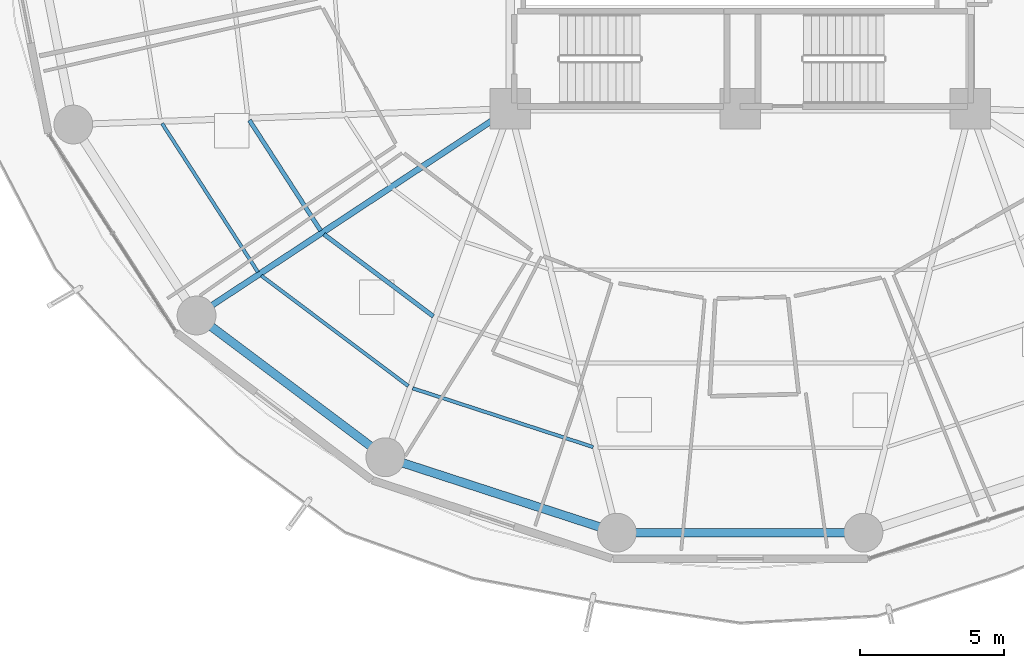
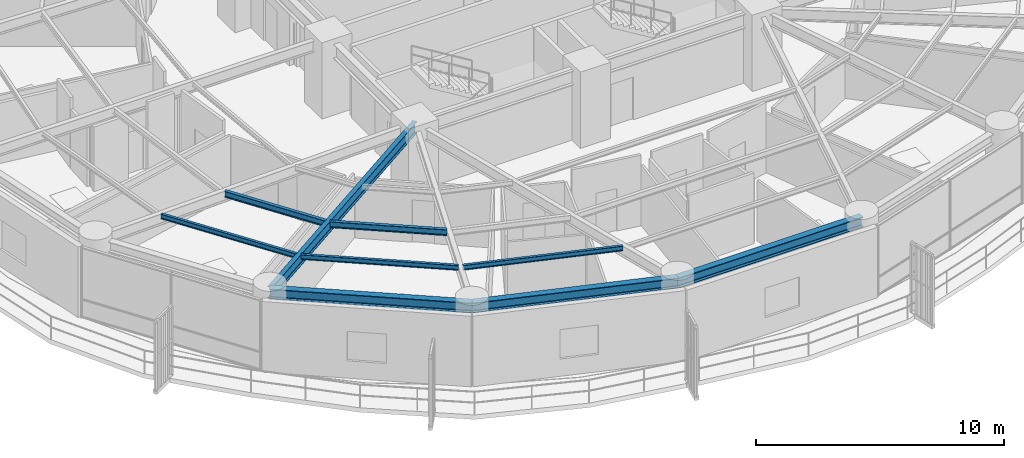
# One storey, part 3 of 35: 9 beams.
"""IFC4 building model written with IfcOpenShell, lengths in metres."""

import ifcopenshell
import ifcopenshell.guid

model = None  # the IFC model being written
_history = None  # IfcOwnerHistory: only IFC2X3 demands one
_inside = {}  # id of a spatial element -> (the spatial element, [elements in it])
_under = {}  # id of a project, library or spatial element -> (it, [spatial elements below it])
_declared = {}  # id of a project -> (the project, [libraries it declares])
_typed = {}  # id of a type object -> (the type object, [elements of that type])
_made_of = {}  # id of a material, layer set ... -> (it, [elements and type objects made of it])


def new_model(schema):
    """Start an empty IFC model of exactly this schema.

    Asked for "IFC4X3", IfcOpenShell would pick the latest addendum, in which some entities
    have other attributes; the version numbers below select the first issue.
    IFC2X3 requires an IfcOwnerHistory on every rooted entity: one is made here for all.
    """
    global model, _history
    if schema == "IFC4X3":
        model = ifcopenshell.file(schema_version=(4, 3, 0, 0))
    else:
        model = ifcopenshell.file(schema=schema)
    _inside.clear()
    _under.clear()
    _declared.clear()
    _typed.clear()
    _made_of.clear()
    _history = None
    if model.schema == "IFC2X3":
        org = make("IfcOrganization", Name="unknown")
        user = make(
            "IfcPersonAndOrganization",
            ThePerson=make("IfcPerson", FamilyName="unknown"),
            TheOrganization=org,
        )
        app = make(
            "IfcApplication",
            ApplicationDeveloper=org,
            Version="unknown",
            ApplicationFullName="unknown",
            ApplicationIdentifier="unknown",
        )
        _history = make(
            "IfcOwnerHistory",
            OwningUser=user,
            OwningApplication=app,
            ChangeAction="ADDED",
            CreationDate=0,
        )
    return model


def make(cls, **values):
    """One entity of the class cls with the attributes given. An attribute that is None is left unset."""
    return model.create_entity(
        cls, **{name: value for name, value in values.items() if value is not None}
    )


def rooted(cls, **values):
    """An entity with a GlobalId (a new one), such as an element, a storey or a relation."""
    return make(cls, GlobalId=ifcopenshell.guid.new(), OwnerHistory=_history, **values)


def si_unit(unit_type, name, prefix=None):
    """IfcSIUnit, for example si_unit("LENGTHUNIT", "METRE", prefix="MILLI")."""
    return make("IfcSIUnit", UnitType=unit_type, Prefix=prefix, Name=name)


def assignment(units):
    """IfcUnitAssignment: the units of a project."""
    return None if units is None else make("IfcUnitAssignment", Units=units)


def point(xyz):
    """IfcCartesianPoint."""
    return None if xyz is None else make("IfcCartesianPoint", Coordinates=xyz)


def direction(xyz):
    """IfcDirection."""
    return None if xyz is None else make("IfcDirection", DirectionRatios=xyz)


def frame(location, z_axis=None, x_axis=None):
    """IfcAxis2Placement3D, a coordinate frame: its origin and axes. An axis left out is left unset."""
    return make(
        "IfcAxis2Placement3D",
        Location=point(location),
        Axis=direction(z_axis),
        RefDirection=direction(x_axis),
    )


def frame_2d(location, x_axis=None):
    """IfcAxis2Placement2D, a coordinate frame in the plane: its origin and x axis."""
    return make(
        "IfcAxis2Placement2D", Location=point(location), RefDirection=direction(x_axis)
    )


def origin():
    """The frame at (0, 0, 0) with its axes left unset."""
    return frame((0.0, 0.0, 0.0))


def origin_2d():
    """The frame at (0, 0) in the plane with its x axis left unset."""
    return frame_2d((0.0, 0.0))


def place(relative_to, where):
    """IfcLocalPlacement: puts the frame where relative to a parent placement (None: the world)."""
    return make(
        "IfcLocalPlacement", PlacementRelTo=relative_to, RelativePlacement=where
    )


def context(
    kind, dimensions, precision=None, world=None, true_north=None, identifier=None
):
    """IfcGeometricRepresentationContext, for example the 3D "Model" context."""
    return make(
        "IfcGeometricRepresentationContext",
        ContextIdentifier=identifier,
        ContextType=kind,
        CoordinateSpaceDimension=dimensions,
        Precision=precision,
        WorldCoordinateSystem=world,
        TrueNorth=true_north,
    )


def subcontext(parent, identifier, kind, view, scale=None):
    """IfcGeometricRepresentationSubContext, for example "Body" below "Model"."""
    return make(
        "IfcGeometricRepresentationSubContext",
        ContextIdentifier=identifier,
        ContextType=kind,
        ParentContext=parent,
        TargetScale=scale,
        TargetView=view,
    )


def project(units=None, contexts=None):
    """IfcProject with its units and contexts."""
    return rooted(
        "IfcProject",
        Name="project",
        RepresentationContexts=contexts,
        UnitsInContext=assignment(units),
    )


def spatial(cls, under=None, at=None, **own):
    """A site, building, storey or space (cls), placed at a placement, below another one or the project."""
    s = rooted(cls, ObjectPlacement=at, **own)
    if under is not None:
        _under.setdefault(under.id(), (under, []))[1].append(s)
    return s


def profile(cls, at=None, kind="AREA", **sizes):
    """A parametric profile (cls). Its sizes go by their IFC names, for example OverallWidth=200.0."""
    return make(cls, ProfileType=kind, Position=at, **sizes)


def i_section(**sizes):
    """IfcIShapeProfileDef."""
    return profile("IfcIShapeProfileDef", **sizes)


def extrude(swept, where, along, depth):
    """IfcExtrudedAreaSolid: the profile swept, set in the frame where, extruded along a direction by depth."""
    return make(
        "IfcExtrudedAreaSolid",
        SweptArea=swept,
        Position=where,
        ExtrudedDirection=direction(along),
        Depth=depth,
    )


def shape(context_of_items, identifier, shape_type, items):
    """IfcShapeRepresentation: the items that make up one representation, for example the "Body"."""
    return make(
        "IfcShapeRepresentation",
        ContextOfItems=context_of_items,
        RepresentationIdentifier=identifier,
        RepresentationType=shape_type,
        Items=items,
    )


def material(Name=None, Category=None):
    """IfcMaterial."""
    return make("IfcMaterial", Name=Name, Category=Category)


def material_profile(
    of_material, cross_section, Name=None, Category=None, Priority=None
):
    """IfcMaterialProfile: a cross section and its material."""
    return make(
        "IfcMaterialProfile",
        Name=Name,
        Material=of_material,
        Profile=cross_section,
        Priority=Priority,
        Category=Category,
    )


def profile_set(profiles, Name=None, composite=None):
    """IfcMaterialProfileSet."""
    return make(
        "IfcMaterialProfileSet",
        Name=Name,
        MaterialProfiles=profiles,
        CompositeProfile=composite,
    )


def made_of(thing, what):
    """Note that an element or type object is made of a material, layer set ...; save() writes the relation."""
    if what is not None:
        _made_of.setdefault(what.id(), (what, []))[1].append(thing)
    return thing


def type_object(cls, material=None, **own):
    """A type object (cls), such as IfcWallType, which elements share."""
    return made_of(rooted(cls, **own), material)


def element(
    cls,
    number,
    at=None,
    inside=None,
    cuts=None,
    type_object=None,
    material=None,
    context=None,
    identifier="Body",
    shape_type=None,
    held_by="IfcProductDefinitionShape",
    body=None,
    shapes=None,
    **own,
):
    """One element of the class cls, such as IfcWall. Its Tag is "e" and its number.

    at: its placement. inside: the storey or other place that contains it. cuts: it is an
    opening in that element (IfcRelVoidsElement). A single representation is given by context,
    identifier, shape_type and body (its items); several are given by shapes. held_by: the class
    of the entity that holds the representations. save() writes the other relations.
    """
    e = rooted(cls, Tag="e%d" % number, ObjectPlacement=at, **own)
    if body is not None:
        shapes = [shape(context, identifier, shape_type, body)]
    if shapes is not None:
        e.Representation = make(held_by, Representations=shapes)
    if inside is not None:
        _inside.setdefault(inside.id(), (inside, []))[1].append(e)
    if cuts is not None:
        rooted(
            "IfcRelVoidsElement", RelatingBuildingElement=cuts, RelatedOpeningElement=e
        )
    if type_object is not None:
        _typed.setdefault(type_object.id(), (type_object, []))[1].append(e)
    return made_of(e, material)


def aggregate(whole, parts):
    """IfcRelAggregates: a whole, such as a stair, and the parts it consists of."""
    return rooted("IfcRelAggregates", RelatingObject=whole, RelatedObjects=parts)


def save(model, path):
    """Write the relations noted so far, then the file.

    IfcRelAggregates (storeys below a building ...), IfcRelContainedInSpatialStructure (elements
    in a storey), IfcRelDefinesByType, IfcRelAssociatesMaterial and IfcRelDeclares: one each for
    every whole, place, type object, material and project.
    """
    for whole, parts in _under.values():
        aggregate(whole, parts)
    for where, things in _inside.values():
        rooted(
            "IfcRelContainedInSpatialStructure",
            RelatedElements=things,
            RelatingStructure=where,
        )
    for kind, things in _typed.values():
        rooted("IfcRelDefinesByType", RelatedObjects=things, RelatingType=kind)
    for what, things in _made_of.values():
        rooted("IfcRelAssociatesMaterial", RelatedObjects=things, RelatingMaterial=what)
    for by, libraries in _declared.values():
        rooted("IfcRelDeclares", RelatingContext=by, RelatedDefinitions=libraries)
    model.write(path)


model = new_model("IFC4")

# Units and contexts
model_context = context("Model", 3, precision=1e-05, world=origin(), true_north=direction((0.0, 1.0)))
body_context = subcontext(model_context, "Body", "Model", "MODEL_VIEW")
ifc_project = project(units=[si_unit("LENGTHUNIT", "METRE"), si_unit("AREAUNIT", "SQUARE_METRE"), si_unit("VOLUMEUNIT", "CUBIC_METRE"), si_unit("PLANEANGLEUNIT", "RADIAN"), si_unit("MASSUNIT", "GRAM", prefix="KILO")], contexts=[model_context])

# Site, building, storey
site_placement = place(None, origin())
site = spatial("IfcSite", under=ifc_project, at=site_placement, CompositionType="ELEMENT")
building_placement = place(site_placement, origin())
building = spatial("IfcBuilding", under=site, at=building_placement, Name="Kelanora Arch Commons", CompositionType="ELEMENT")
storey_placement = place(building_placement, frame((0.0, 0.0, 87.60009765625)))
storey = spatial("IfcBuildingStorey", under=building, at=storey_placement, Name="L22", CompositionType="ELEMENT", Elevation=87.60009765625)

# Beams
ifc_material = material(Name="Steel S355", Category="steel")
ifc_material_profile_1 = material_profile(ifc_material, i_section(OverallWidth=0.14990234375, OverallDepth=0.300048828125, WebThickness=0.007080078125, FlangeThickness=0.0107421875, FilletRadius=0.014892578125, at=origin_2d()), Name="IPE300")
ifc_profile_set_1 = profile_set([ifc_material_profile_1], Name="Steel S355")
beam_type_1 = type_object("IfcBeamType", Name="BM-JST-01", PredefinedType="JOIST", material=ifc_profile_set_1)
beam_1_placement = place(storey_placement, frame((56.93115234375, 50.597412109375, 3.33984375), z_axis=(0.542230243286, -0.840229946661, 0.0), x_axis=(0.840229946661, 0.542230243286, 0.0)))
element("IfcBeam", 1, at=beam_1_placement, inside=storey, type_object=beam_type_1, Name="Secondary Chord Joist BJB-20 L22", PredefinedType="JOIST", context=body_context, shape_type="SweptSolid", body=[
    extrude(i_section(OverallWidth=0.14990234375, OverallDepth=0.300048828125, WebThickness=0.007080078125, FlangeThickness=0.0107421875, FilletRadius=0.014892578125, at=origin_2d()), origin(), (0.0, 0.0, 1.0), 4.572265625),
])
beam_2_placement = place(storey_placement, frame((59.5244140625, 46.63330078125, 3.33984375), z_axis=(0.79971039107, -0.600385951214, 0.0), x_axis=(0.600385951214, 0.79971039107, 0.0)))
element("IfcBeam", 2, at=beam_2_placement, inside=storey, type_object=beam_type_1, Name="Secondary Chord Joist BJB-22 L22", PredefinedType="JOIST", context=body_context, shape_type="SweptSolid", body=[
    extrude(i_section(OverallWidth=0.14990234375, OverallDepth=0.300048828125, WebThickness=0.007080078125, FlangeThickness=0.0107421875, FilletRadius=0.014892578125, at=origin_2d()), origin(), (0.0, 0.0, 1.0), 4.756103515625),
])
ifc_material_profile_2 = material_profile(ifc_material, i_section(OverallWidth=0.1201171875, OverallDepth=0.239990234375, WebThickness=0.006103515625, FlangeThickness=0.009765625, FilletRadius=0.014892578125, at=origin_2d()), Name="IPE240")
ifc_profile_set_2 = profile_set([ifc_material_profile_2], Name="Steel S355")
beam_type_2 = type_object("IfcBeamType", Name="BM-JST-02", PredefinedType="JOIST", material=ifc_profile_set_2)
beam_3_placement = place(storey_placement, frame((53.892822265625, 50.487060546875, 3.369873046875), z_axis=(0.542212726273, -0.840241250754, 0.0), x_axis=(0.840241250754, 0.542212726273, 0.0)))
element("IfcBeam", 3, at=beam_3_placement, inside=storey, type_object=beam_type_2, Name="Secondary Chord Joist BJC-20 L22", PredefinedType="JOIST", context=body_context, shape_type="SweptSolid", body=[
    extrude(i_section(OverallWidth=0.1201171875, OverallDepth=0.239990234375, WebThickness=0.006103515625, FlangeThickness=0.009765625, FilletRadius=0.014892578125, at=origin_2d()), origin(), (0.0, 0.0, 1.0), 6.15283203125),
])
beam_4_placement = place(storey_placement, frame((57.34326171875, 45.194580078125, 3.369873046875), z_axis=(0.799734335646, -0.600354055861, 0.0), x_axis=(0.600354055861, 0.799734335646, 0.0)))
element("IfcBeam", 4, at=beam_4_placement, inside=storey, type_object=beam_type_2, Name="Secondary Chord Joist BJC-22 L22", PredefinedType="JOIST", context=body_context, shape_type="SweptSolid", body=[
    extrude(i_section(OverallWidth=0.1201171875, OverallDepth=0.239990234375, WebThickness=0.006103515625, FlangeThickness=0.009765625, FilletRadius=0.014892578125, at=origin_2d()), origin(), (0.0, 0.0, 1.0), 6.39794921875),
])
beam_5_placement = place(storey_placement, frame((62.60888671875, 41.276123046875, 3.369873046875), z_axis=(0.950862829272, -0.309612467301, 0.0), x_axis=(0.309612467301, 0.950862829272, 0.0)))
element("IfcBeam", 5, at=beam_5_placement, inside=storey, type_object=beam_type_2, Name="Secondary Chord Joist BJC-24 L22", PredefinedType="JOIST", context=body_context, shape_type="SweptSolid", body=[
    extrude(i_section(OverallWidth=0.1201171875, OverallDepth=0.239990234375, WebThickness=0.006103515625, FlangeThickness=0.009765625, FilletRadius=0.014892578125, at=origin_2d()), origin(), (0.0, 0.0, 1.0), 6.6064453125),
])
ifc_material_profile_3 = material_profile(ifc_material, i_section(OverallWidth=0.2099609375, OverallDepth=0.550048828125, WebThickness=0.010986328125, FlangeThickness=0.01708984375, FilletRadius=0.02392578125, at=origin_2d()), Name="IPE550")
ifc_profile_set_3 = profile_set([ifc_material_profile_3], Name="Steel S355")
beam_type_3 = type_object("IfcBeamType", Name="BM-RAD-Z2", PredefinedType="BEAM", material=ifc_profile_set_3)
beam_6_placement = place(storey_placement, frame((66.0, 51.0, 3.21484375), z_axis=(-0.834788577908, -0.550570640512, 0.0), x_axis=(0.550570640512, -0.834788577908, 0.0)))
element("IfcBeam", 6, at=beam_6_placement, inside=storey, type_object=beam_type_3, Name="Radial Floor Girder BR-22 L22", PredefinedType="BEAM", context=body_context, shape_type="SweptSolid", body=[
    extrude(i_section(OverallWidth=0.2099609375, OverallDepth=0.550048828125, WebThickness=0.010986328125, FlangeThickness=0.01708984375, FilletRadius=0.02392578125, at=origin_2d()), origin(), (0.0, 0.0, 1.0), 13.064453125),
])
ifc_material_profile_4 = material_profile(ifc_material, i_section(OverallWidth=0.300048828125, OverallDepth=0.5, WebThickness=0.014404296875, FlangeThickness=0.028076171875, FilletRadius=0.027099609375, at=origin_2d()), Name="HEB500")
ifc_profile_set_4 = profile_set([ifc_material_profile_4], Name="Steel S355")
beam_type_4 = type_object("IfcBeamType", Name="BM-SPN-Z2", PredefinedType="SPANDREL", material=ifc_profile_set_4)
beam_7_placement = place(storey_placement, frame((55.093994140625, 43.80712890625, 3.239990234375), z_axis=(0.799735861602, -0.600352023123, 0.0), x_axis=(0.600352023123, 0.799735861602, 0.0)))
element("IfcBeam", 7, at=beam_7_placement, inside=storey, type_object=beam_type_4, Name="Perimeter Spandrel Beam BS-22 L22", PredefinedType="SPANDREL", context=body_context, shape_type="SweptSolid", body=[
    extrude(i_section(OverallWidth=0.300048828125, OverallDepth=0.5, WebThickness=0.014404296875, FlangeThickness=0.028076171875, FilletRadius=0.027099609375, at=origin_2d()), origin(), (0.0, 0.0, 1.0), 8.210205078125),
])
beam_8_placement = place(storey_placement, frame((61.659912109375, 38.878173828125, 3.239990234375), z_axis=(0.950856631974, -0.309631499418, 0.0), x_axis=(0.309631499418, 0.950856631974, 0.0)))
element("IfcBeam", 8, at=beam_8_placement, inside=storey, type_object=beam_type_4, Name="Perimeter Spandrel Beam BS-24 L22", PredefinedType="SPANDREL", context=body_context, shape_type="SweptSolid", body=[
    extrude(i_section(OverallWidth=0.300048828125, OverallDepth=0.5, WebThickness=0.014404296875, FlangeThickness=0.028076171875, FilletRadius=0.027099609375, at=origin_2d()), origin(), (0.0, 0.0, 1.0), 8.470703125),
])
beam_9_placement = place(storey_placement, frame((69.71435546875, 36.25537109375, 3.239990234375), z_axis=(1.0, 0.0, 0.0), x_axis=(0.0, 1.0, 0.0)))
element("IfcBeam", 9, at=beam_9_placement, inside=storey, type_object=beam_type_4, Name="Perimeter Spandrel Beam BS-26 L22", PredefinedType="SPANDREL", context=body_context, shape_type="SweptSolid", body=[
    extrude(i_section(OverallWidth=0.300048828125, OverallDepth=0.5, WebThickness=0.014404296875, FlangeThickness=0.028076171875, FilletRadius=0.027099609375, at=origin_2d()), origin(), (0.0, 0.0, 1.0), 8.5712890625),
])

save(model, "model.ifc")
